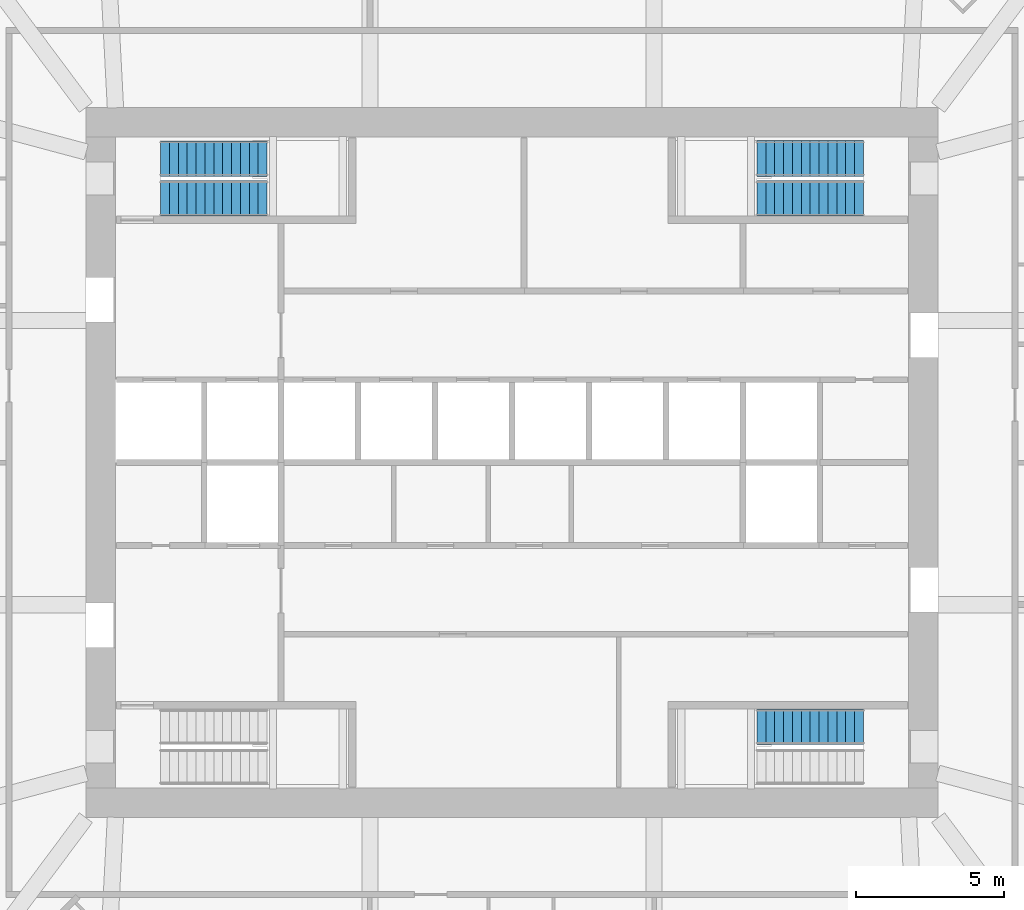
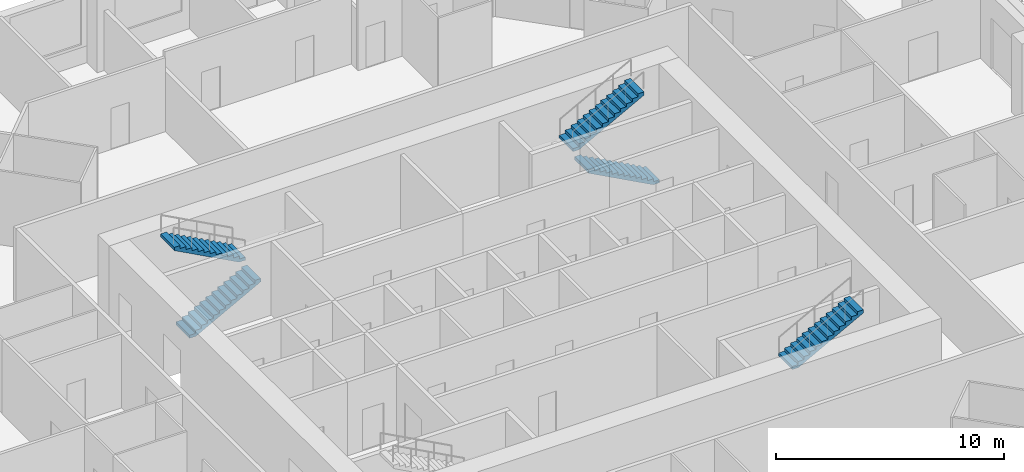
# One storey, part 11 of 13: 5 stair flights, 3 elements without a shape of their own.
"""IFC4 building model written with IfcOpenShell, lengths in metres."""

from ifc_helpers import new_model, si_unit, direction, frame, origin, place, context, subcontext, project, spatial, polyline, outline, extrude, material, type_object, element, aggregate, save


model = new_model("IFC4")

# Units and contexts
model_context = context("Model", 3, precision=1e-05, world=origin(), true_north=direction((0.0, 1.0)))
body_context = subcontext(model_context, "Body", "Model", "MODEL_VIEW")
ifc_project = project(units=[si_unit("LENGTHUNIT", "METRE"), si_unit("AREAUNIT", "SQUARE_METRE"), si_unit("VOLUMEUNIT", "CUBIC_METRE"), si_unit("PLANEANGLEUNIT", "RADIAN"), si_unit("MASSUNIT", "GRAM", prefix="KILO")], contexts=[model_context])

# Site, building, storey
site_placement = place(None, origin())
site = spatial("IfcSite", under=ifc_project, at=site_placement, CompositionType="ELEMENT")
building_placement = place(site_placement, origin())
building = spatial("IfcBuilding", under=site, at=building_placement, Name="Msitu Wima Residences", CompositionType="ELEMENT")
storey_placement = place(building_placement, frame((0.0, 0.0, 63.300048828125)))
storey = spatial("IfcBuildingStorey", under=building, at=storey_placement, Name="L14", CompositionType="ELEMENT", Elevation=63.300048828125)

# Stair, stair flights
ifc_material = material(Name="Concrete C40/50", Category="concrete")
stair_type = type_object("IfcStairType", Name="Exit stair ES1615-120", PredefinedType="HALF_TURN_STAIR", material=ifc_material)
stair_1_placement = place(storey_placement, origin())
stair_1 = element("IfcStair", 1, at=stair_1_placement, inside=storey, type_object=stair_type, Name="Exit stair 1", PredefinedType="HALF_TURN_STAIR")
stair_flight_type = type_object("IfcStairFlightType", Name="Exit stair flight ES1615-120", PredefinedType="STRAIGHT", material=ifc_material)
stair_flight_1_placement = place(storey_placement, frame((-11.875, 8.925048828125, 0.0), z_axis=(0.0, 0.0, 1.0), x_axis=(1.0, 0.0, 0.0)))
stair_flight_1 = element("IfcStairFlight", 2, at=stair_flight_1_placement, type_object=stair_flight_type, Name="S1 flight 1", NumberOfRisers=13, NumberOfTreads=12, PredefinedType="STRAIGHT", RiserHeight=0.161538462, TreadLength=0.3, context=body_context, shape_type="SweptSolid", body=[
    extrude(outline(polyline([(0.0, 0.0), (0.0, 0.16162109375), (0.300048828125, 0.16162109375), (0.300048828125, 0.322998046875), (0.60009765625, 0.322998046875), (0.60009765625, 0.484619140625), (0.89990234375, 0.484619140625), (0.89990234375, 0.646240234375), (1.199951171875, 0.646240234375), (1.199951171875, 0.8076171875), (1.5, 0.8076171875), (1.5, 0.96923828125), (1.800048828125, 0.96923828125), (1.800048828125, 1.130859375), (2.10009765625, 1.130859375), (2.10009765625, 1.292236328125), (2.39990234375, 1.292236328125), (2.39990234375, 1.453857421875), (2.699951171875, 1.453857421875), (2.699951171875, 1.615478515625), (3.0, 1.615478515625), (3.0, 1.77685546875), (3.300048828125, 1.77685546875), (3.300048828125, 1.9384765625), (3.60009765625, 1.9384765625), (3.60009765625, 2.10009765625), (3.60009765625, 1.768310546875), (0.316162109375, 0.0), (0.0, 0.0)])), frame((0.0, 0.60009765625, 0.0), z_axis=(0.0, -1.0, 0.0), x_axis=(1.0, 0.0, 0.0)), (0.0, 0.0, 1.0), 1.199951171875),
])
stair_flight_2_placement = place(storey_placement, frame((-8.27490234375, 10.27490234375, 2.099853515625), z_axis=(0.0, 0.0, 1.0), x_axis=(-1.0, 0.0, 0.0)))
stair_flight_2 = element("IfcStairFlight", 3, at=stair_flight_2_placement, type_object=stair_flight_type, Name="S1 flight 2", NumberOfRisers=13, NumberOfTreads=12, PredefinedType="STRAIGHT", RiserHeight=0.161538462, TreadLength=0.3, context=body_context, shape_type="SweptSolid", body=[
    extrude(outline(polyline([(0.0, 0.0), (0.0, 0.16162109375), (0.300048828125, 0.16162109375), (0.300048828125, 0.322998046875), (0.60009765625, 0.322998046875), (0.60009765625, 0.484619140625), (0.89990234375, 0.484619140625), (0.89990234375, 0.646240234375), (1.199951171875, 0.646240234375), (1.199951171875, 0.8076171875), (1.5, 0.8076171875), (1.5, 0.96923828125), (1.800048828125, 0.96923828125), (1.800048828125, 1.130859375), (2.10009765625, 1.130859375), (2.10009765625, 1.292236328125), (2.39990234375, 1.292236328125), (2.39990234375, 1.453857421875), (2.699951171875, 1.453857421875), (2.699951171875, 1.615478515625), (3.0, 1.615478515625), (3.0, 1.77685546875), (3.300048828125, 1.77685546875), (3.300048828125, 1.9384765625), (3.60009765625, 1.9384765625), (3.60009765625, 2.10009765625), (3.60009765625, 1.768310546875), (0.316162109375, 0.0), (0.0, 0.0)])), frame((0.0, 0.60009765625, 0.0), z_axis=(0.0, -1.0, 0.0), x_axis=(1.0, 0.0, 0.0)), (0.0, 0.0, 1.0), 1.199951171875),
])
aggregate(stair_1, [stair_flight_1, stair_flight_2])

stair_2_placement = place(storey_placement, origin())
stair_2 = element("IfcStair", 4, at=stair_2_placement, inside=storey, type_object=stair_type, Name="Exit stair 3", PredefinedType="HALF_TURN_STAIR")
stair_flight_3_placement = place(storey_placement, frame((11.875, 8.925048828125, 0.0), z_axis=(0.0, 0.0, 1.0), x_axis=(-1.0, 0.0, 0.0)))
stair_flight_3 = element("IfcStairFlight", 5, at=stair_flight_3_placement, type_object=stair_flight_type, Name="S3 flight 1", NumberOfRisers=13, NumberOfTreads=12, PredefinedType="STRAIGHT", RiserHeight=0.161538462, TreadLength=0.3, context=body_context, shape_type="SweptSolid", body=[
    extrude(outline(polyline([(0.0, 0.0), (0.0, 0.16162109375), (0.300048828125, 0.16162109375), (0.300048828125, 0.322998046875), (0.60009765625, 0.322998046875), (0.60009765625, 0.484619140625), (0.89990234375, 0.484619140625), (0.89990234375, 0.646240234375), (1.199951171875, 0.646240234375), (1.199951171875, 0.8076171875), (1.5, 0.8076171875), (1.5, 0.96923828125), (1.800048828125, 0.96923828125), (1.800048828125, 1.130859375), (2.10009765625, 1.130859375), (2.10009765625, 1.292236328125), (2.39990234375, 1.292236328125), (2.39990234375, 1.453857421875), (2.699951171875, 1.453857421875), (2.699951171875, 1.615478515625), (3.0, 1.615478515625), (3.0, 1.77685546875), (3.300048828125, 1.77685546875), (3.300048828125, 1.9384765625), (3.60009765625, 1.9384765625), (3.60009765625, 2.10009765625), (3.60009765625, 1.768310546875), (0.316162109375, 0.0), (0.0, 0.0)])), frame((0.0, 0.60009765625, 0.0), z_axis=(0.0, -1.0, 0.0), x_axis=(1.0, 0.0, 0.0)), (0.0, 0.0, 1.0), 1.199951171875),
])
stair_flight_4_placement = place(storey_placement, frame((8.27490234375, 10.27490234375, 2.099853515625), z_axis=(0.0, 0.0, 1.0), x_axis=(1.0, 0.0, 0.0)))
stair_flight_4 = element("IfcStairFlight", 6, at=stair_flight_4_placement, type_object=stair_flight_type, Name="S3 flight 2", NumberOfRisers=13, NumberOfTreads=12, PredefinedType="STRAIGHT", RiserHeight=0.161538462, TreadLength=0.3, context=body_context, shape_type="SweptSolid", body=[
    extrude(outline(polyline([(0.0, 0.0), (0.0, 0.16162109375), (0.300048828125, 0.16162109375), (0.300048828125, 0.322998046875), (0.60009765625, 0.322998046875), (0.60009765625, 0.484619140625), (0.89990234375, 0.484619140625), (0.89990234375, 0.646240234375), (1.199951171875, 0.646240234375), (1.199951171875, 0.8076171875), (1.5, 0.8076171875), (1.5, 0.96923828125), (1.800048828125, 0.96923828125), (1.800048828125, 1.130859375), (2.10009765625, 1.130859375), (2.10009765625, 1.292236328125), (2.39990234375, 1.292236328125), (2.39990234375, 1.453857421875), (2.699951171875, 1.453857421875), (2.699951171875, 1.615478515625), (3.0, 1.615478515625), (3.0, 1.77685546875), (3.300048828125, 1.77685546875), (3.300048828125, 1.9384765625), (3.60009765625, 1.9384765625), (3.60009765625, 2.10009765625), (3.60009765625, 1.768310546875), (0.316162109375, 0.0), (0.0, 0.0)])), frame((0.0, 0.60009765625, 0.0), z_axis=(0.0, -1.0, 0.0), x_axis=(1.0, 0.0, 0.0)), (0.0, 0.0, 1.0), 1.199951171875),
])
aggregate(stair_2, [stair_flight_3, stair_flight_4])

# Stair, stair flight
stair_3_placement = place(storey_placement, origin())
stair_3 = element("IfcStair", 7, at=stair_3_placement, inside=storey, type_object=stair_type, Name="Exit stair 4", PredefinedType="HALF_TURN_STAIR")
stair_flight_5_placement = place(storey_placement, frame((8.27490234375, -8.925048828125, 2.099853515625), z_axis=(0.0, 0.0, 1.0), x_axis=(1.0, 0.0, 0.0)))
stair_flight_5 = element("IfcStairFlight", 8, at=stair_flight_5_placement, type_object=stair_flight_type, Name="S4 flight 2", NumberOfRisers=13, NumberOfTreads=12, PredefinedType="STRAIGHT", RiserHeight=0.161538462, TreadLength=0.3, context=body_context, shape_type="SweptSolid", body=[
    extrude(outline(polyline([(0.0, 0.0), (0.0, 0.16162109375), (0.300048828125, 0.16162109375), (0.300048828125, 0.322998046875), (0.60009765625, 0.322998046875), (0.60009765625, 0.484619140625), (0.89990234375, 0.484619140625), (0.89990234375, 0.646240234375), (1.199951171875, 0.646240234375), (1.199951171875, 0.8076171875), (1.5, 0.8076171875), (1.5, 0.96923828125), (1.800048828125, 0.96923828125), (1.800048828125, 1.130859375), (2.10009765625, 1.130859375), (2.10009765625, 1.292236328125), (2.39990234375, 1.292236328125), (2.39990234375, 1.453857421875), (2.699951171875, 1.453857421875), (2.699951171875, 1.615478515625), (3.0, 1.615478515625), (3.0, 1.77685546875), (3.300048828125, 1.77685546875), (3.300048828125, 1.9384765625), (3.60009765625, 1.9384765625), (3.60009765625, 2.10009765625), (3.60009765625, 1.768310546875), (0.316162109375, 0.0), (0.0, 0.0)])), frame((0.0, 0.60009765625, 0.0), z_axis=(0.0, -1.0, 0.0), x_axis=(1.0, 0.0, 0.0)), (0.0, 0.0, 1.0), 1.199951171875),
])
aggregate(stair_3, [stair_flight_5])

save(model, "model.ifc")
